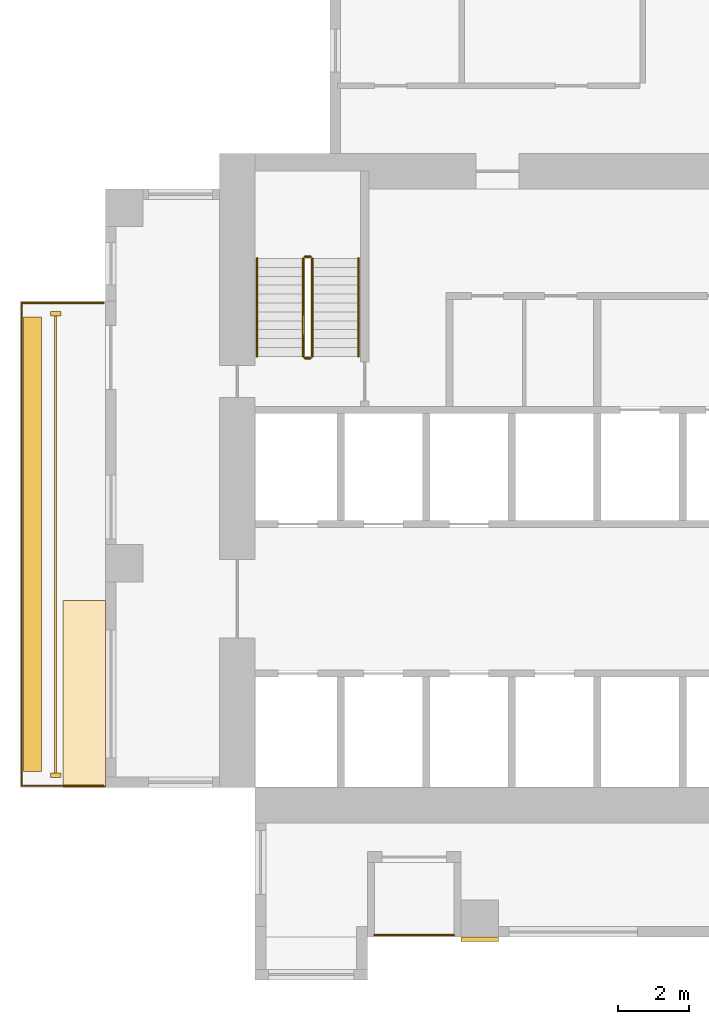
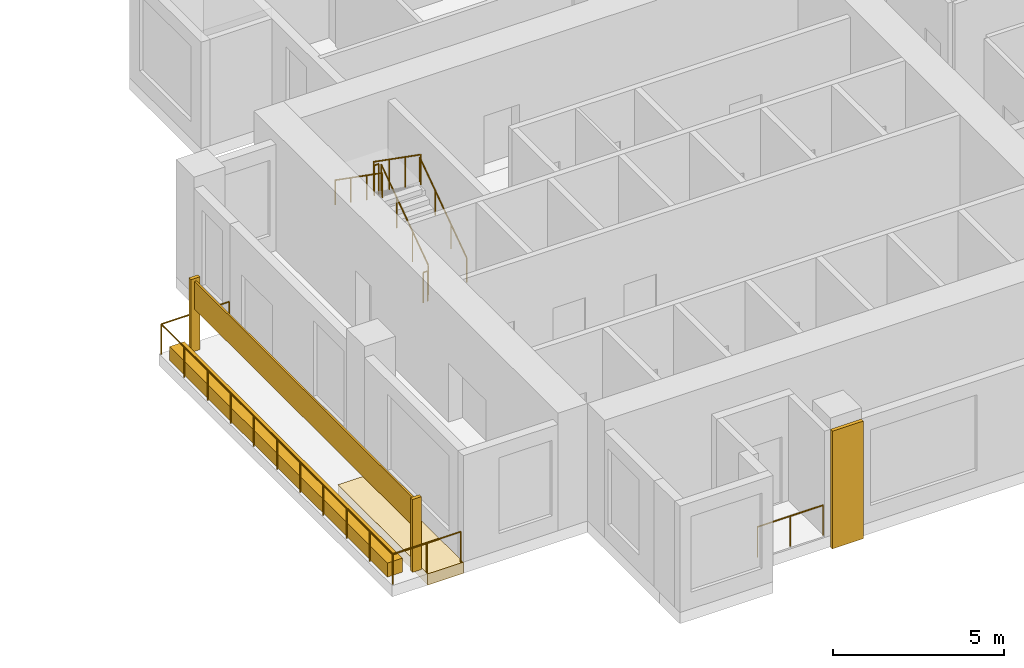
# One storey, part 10 of 14: 8 railings, 6 coverings.
"""IFC4 building model written with IfcOpenShell, lengths in metres."""

import ifcopenshell
import ifcopenshell.guid

model = None  # the IFC model being written
_history = None  # IfcOwnerHistory: only IFC2X3 demands one
_inside = {}  # id of a spatial element -> (the spatial element, [elements in it])
_under = {}  # id of a project, library or spatial element -> (it, [spatial elements below it])
_declared = {}  # id of a project -> (the project, [libraries it declares])
_typed = {}  # id of a type object -> (the type object, [elements of that type])
_made_of = {}  # id of a material, layer set ... -> (it, [elements and type objects made of it])


def new_model(schema):
    """Start an empty IFC model of exactly this schema.

    Asked for "IFC4X3", IfcOpenShell would pick the latest addendum, in which some entities
    have other attributes; the version numbers below select the first issue.
    IFC2X3 requires an IfcOwnerHistory on every rooted entity: one is made here for all.
    """
    global model, _history
    if schema == "IFC4X3":
        model = ifcopenshell.file(schema_version=(4, 3, 0, 0))
    else:
        model = ifcopenshell.file(schema=schema)
    _inside.clear()
    _under.clear()
    _declared.clear()
    _typed.clear()
    _made_of.clear()
    _history = None
    if model.schema == "IFC2X3":
        org = make("IfcOrganization", Name="unknown")
        user = make(
            "IfcPersonAndOrganization",
            ThePerson=make("IfcPerson", FamilyName="unknown"),
            TheOrganization=org,
        )
        app = make(
            "IfcApplication",
            ApplicationDeveloper=org,
            Version="unknown",
            ApplicationFullName="unknown",
            ApplicationIdentifier="unknown",
        )
        _history = make(
            "IfcOwnerHistory",
            OwningUser=user,
            OwningApplication=app,
            ChangeAction="ADDED",
            CreationDate=0,
        )
    return model


def make(cls, **values):
    """One entity of the class cls with the attributes given. An attribute that is None is left unset."""
    return model.create_entity(
        cls, **{name: value for name, value in values.items() if value is not None}
    )


def rooted(cls, **values):
    """An entity with a GlobalId (a new one), such as an element, a storey or a relation."""
    return make(cls, GlobalId=ifcopenshell.guid.new(), OwnerHistory=_history, **values)


def si_unit(unit_type, name, prefix=None):
    """IfcSIUnit, for example si_unit("LENGTHUNIT", "METRE", prefix="MILLI")."""
    return make("IfcSIUnit", UnitType=unit_type, Prefix=prefix, Name=name)


def assignment(units):
    """IfcUnitAssignment: the units of a project."""
    return None if units is None else make("IfcUnitAssignment", Units=units)


def point(xyz):
    """IfcCartesianPoint."""
    return None if xyz is None else make("IfcCartesianPoint", Coordinates=xyz)


def direction(xyz):
    """IfcDirection."""
    return None if xyz is None else make("IfcDirection", DirectionRatios=xyz)


def frame(location, z_axis=None, x_axis=None):
    """IfcAxis2Placement3D, a coordinate frame: its origin and axes. An axis left out is left unset."""
    return make(
        "IfcAxis2Placement3D",
        Location=point(location),
        Axis=direction(z_axis),
        RefDirection=direction(x_axis),
    )


def frame_2d(location, x_axis=None):
    """IfcAxis2Placement2D, a coordinate frame in the plane: its origin and x axis."""
    return make(
        "IfcAxis2Placement2D", Location=point(location), RefDirection=direction(x_axis)
    )


def origin():
    """The frame at (0, 0, 0) with its axes left unset."""
    return frame((0.0, 0.0, 0.0))


def origin_2d():
    """The frame at (0, 0) in the plane with its x axis left unset."""
    return frame_2d((0.0, 0.0))


def place(relative_to, where):
    """IfcLocalPlacement: puts the frame where relative to a parent placement (None: the world)."""
    return make(
        "IfcLocalPlacement", PlacementRelTo=relative_to, RelativePlacement=where
    )


def context(
    kind, dimensions, precision=None, world=None, true_north=None, identifier=None
):
    """IfcGeometricRepresentationContext, for example the 3D "Model" context."""
    return make(
        "IfcGeometricRepresentationContext",
        ContextIdentifier=identifier,
        ContextType=kind,
        CoordinateSpaceDimension=dimensions,
        Precision=precision,
        WorldCoordinateSystem=world,
        TrueNorth=true_north,
    )


def subcontext(parent, identifier, kind, view, scale=None):
    """IfcGeometricRepresentationSubContext, for example "Body" below "Model"."""
    return make(
        "IfcGeometricRepresentationSubContext",
        ContextIdentifier=identifier,
        ContextType=kind,
        ParentContext=parent,
        TargetScale=scale,
        TargetView=view,
    )


def project(units=None, contexts=None):
    """IfcProject with its units and contexts."""
    return rooted(
        "IfcProject",
        Name="project",
        RepresentationContexts=contexts,
        UnitsInContext=assignment(units),
    )


def spatial(cls, under=None, at=None, **own):
    """A site, building, storey or space (cls), placed at a placement, below another one or the project."""
    s = rooted(cls, ObjectPlacement=at, **own)
    if under is not None:
        _under.setdefault(under.id(), (under, []))[1].append(s)
    return s


def polyline(points):
    """IfcPolyline through the points."""
    return make("IfcPolyline", Points=[point(p) for p in points])


def profile(cls, at=None, kind="AREA", **sizes):
    """A parametric profile (cls). Its sizes go by their IFC names, for example OverallWidth=200.0."""
    return make(cls, ProfileType=kind, Position=at, **sizes)


def rectangle(**sizes):
    """IfcRectangleProfileDef."""
    return profile("IfcRectangleProfileDef", **sizes)


def circle(**sizes):
    """IfcCircleProfileDef."""
    return profile("IfcCircleProfileDef", **sizes)


def outline(outer, holes=None, kind="AREA"):
    """IfcArbitraryClosedProfileDef: a profile drawn as a closed curve; with holes, ...WithVoids."""
    if holes is None:
        return make("IfcArbitraryClosedProfileDef", ProfileType=kind, OuterCurve=outer)
    return make(
        "IfcArbitraryProfileDefWithVoids",
        ProfileType=kind,
        OuterCurve=outer,
        InnerCurves=holes,
    )


def extrude(swept, where, along, depth):
    """IfcExtrudedAreaSolid: the profile swept, set in the frame where, extruded along a direction by depth."""
    return make(
        "IfcExtrudedAreaSolid",
        SweptArea=swept,
        Position=where,
        ExtrudedDirection=direction(along),
        Depth=depth,
    )


def shape(context_of_items, identifier, shape_type, items):
    """IfcShapeRepresentation: the items that make up one representation, for example the "Body"."""
    return make(
        "IfcShapeRepresentation",
        ContextOfItems=context_of_items,
        RepresentationIdentifier=identifier,
        RepresentationType=shape_type,
        Items=items,
    )


def source(mapping_origin, context_of_items, identifier, shape_type, items):
    """IfcRepresentationMap: a shape defined once, which mapped items show again and again."""
    return make(
        "IfcRepresentationMap",
        MappingOrigin=mapping_origin,
        MappedRepresentation=shape(context_of_items, identifier, shape_type, items),
    )


def transform(
    local_origin,
    x_axis=None,
    y_axis=None,
    z_axis=None,
    scale=None,
    scale2=None,
    scale3=None,
    uniform=True,
):
    """IfcCartesianTransformationOperator3D, or its non-uniform kind. x_axis, y_axis, z_axis: its Axis1, 2, 3."""
    if uniform:
        return make(
            "IfcCartesianTransformationOperator3D",
            Axis1=direction(x_axis),
            Axis2=direction(y_axis),
            LocalOrigin=point(local_origin),
            Scale=scale,
            Axis3=direction(z_axis),
        )
    return make(
        "IfcCartesianTransformationOperator3DnonUniform",
        Axis1=direction(x_axis),
        Axis2=direction(y_axis),
        LocalOrigin=point(local_origin),
        Scale=scale,
        Axis3=direction(z_axis),
        Scale2=scale2,
        Scale3=scale3,
    )


def mapped(mapping_source, mapping_target):
    """IfcMappedItem: shows the shape of a source again, moved by a transform."""
    return make(
        "IfcMappedItem", MappingSource=mapping_source, MappingTarget=mapping_target
    )


def material(Name=None, Category=None):
    """IfcMaterial."""
    return make("IfcMaterial", Name=Name, Category=Category)


def made_of(thing, what):
    """Note that an element or type object is made of a material, layer set ...; save() writes the relation."""
    if what is not None:
        _made_of.setdefault(what.id(), (what, []))[1].append(thing)
    return thing


def type_object(cls, material=None, **own):
    """A type object (cls), such as IfcWallType, which elements share."""
    return made_of(rooted(cls, **own), material)


def element(
    cls,
    number,
    at=None,
    inside=None,
    cuts=None,
    type_object=None,
    material=None,
    context=None,
    identifier="Body",
    shape_type=None,
    held_by="IfcProductDefinitionShape",
    body=None,
    shapes=None,
    **own,
):
    """One element of the class cls, such as IfcWall. Its Tag is "e" and its number.

    at: its placement. inside: the storey or other place that contains it. cuts: it is an
    opening in that element (IfcRelVoidsElement). A single representation is given by context,
    identifier, shape_type and body (its items); several are given by shapes. held_by: the class
    of the entity that holds the representations. save() writes the other relations.
    """
    e = rooted(cls, Tag="e%d" % number, ObjectPlacement=at, **own)
    if body is not None:
        shapes = [shape(context, identifier, shape_type, body)]
    if shapes is not None:
        e.Representation = make(held_by, Representations=shapes)
    if inside is not None:
        _inside.setdefault(inside.id(), (inside, []))[1].append(e)
    if cuts is not None:
        rooted(
            "IfcRelVoidsElement", RelatingBuildingElement=cuts, RelatedOpeningElement=e
        )
    if type_object is not None:
        _typed.setdefault(type_object.id(), (type_object, []))[1].append(e)
    return made_of(e, material)


def aggregate(whole, parts):
    """IfcRelAggregates: a whole, such as a stair, and the parts it consists of."""
    return rooted("IfcRelAggregates", RelatingObject=whole, RelatedObjects=parts)


def save(model, path):
    """Write the relations noted so far, then the file.

    IfcRelAggregates (storeys below a building ...), IfcRelContainedInSpatialStructure (elements
    in a storey), IfcRelDefinesByType, IfcRelAssociatesMaterial and IfcRelDeclares: one each for
    every whole, place, type object, material and project.
    """
    for whole, parts in _under.values():
        aggregate(whole, parts)
    for where, things in _inside.values():
        rooted(
            "IfcRelContainedInSpatialStructure",
            RelatedElements=things,
            RelatingStructure=where,
        )
    for kind, things in _typed.values():
        rooted("IfcRelDefinesByType", RelatedObjects=things, RelatingType=kind)
    for what, things in _made_of.values():
        rooted("IfcRelAssociatesMaterial", RelatedObjects=things, RelatingMaterial=what)
    for by, libraries in _declared.values():
        rooted("IfcRelDeclares", RelatingContext=by, RelatedDefinitions=libraries)
    model.write(path)


model = new_model("IFC4")

# Units and contexts
model_context = context("Model", 3, precision=1e-05, world=origin(), true_north=direction((0.0, 1.0)))
body_context = subcontext(model_context, "Body", "Model", "MODEL_VIEW")
ifc_project = project(units=[si_unit("LENGTHUNIT", "METRE"), si_unit("AREAUNIT", "SQUARE_METRE"), si_unit("VOLUMEUNIT", "CUBIC_METRE"), si_unit("PLANEANGLEUNIT", "RADIAN"), si_unit("MASSUNIT", "GRAM", prefix="KILO")], contexts=[model_context])

# Site, building, storey
site_placement = place(None, origin())
site = spatial("IfcSite", under=ifc_project, at=site_placement, CompositionType="ELEMENT")
building_placement = place(site_placement, origin())
building = spatial("IfcBuilding", under=site, at=building_placement, Name="Aurelian Terraces", CompositionType="ELEMENT")
storey_placement = place(building_placement, frame((0.0, 0.0, 153.9)))
storey = spatial("IfcBuildingStorey", under=building, at=storey_placement, Name="L34", CompositionType="ELEMENT", Elevation=153.9)

# Coverings
ifc_material_1 = material(Name="Terracotta rainscreen cladding relief", Category="masonry")
covering_type_1 = type_object("IfcCoveringType", Name="FIN-TC", PredefinedType="CLADDING", material=ifc_material_1)
shared_shape_1 = source(origin(), body_context, "Body", "SweptSolid", [
    extrude(rectangle(XDim=0.3, YDim=0.12, at=origin_2d()), origin(), (0.0, 0.0, 1.0), 2.6),
])
for number, where, z_axis, x_axis, name in (
    (1, (-1.4, 17.5, 0.0), (0.0, 0.0, 1.0), (1.0, 0.0, 0.0), "FIN L34 L34-F24-43.1"),
    (2, (-1.4, 4.55, 0.0), (0.0, 0.0, 1.0), (1.0, 0.0, 0.0), "FIN L34 L34-F24-43.2"),
):
    element("IfcCovering", number, at=place(storey_placement, frame(where, z_axis=z_axis, x_axis=x_axis)), inside=storey, type_object=covering_type_1, Name=name, PredefinedType="CLADDING", context=body_context, shape_type="MappedRepresentation", body=[
        mapped(shared_shape_1, transform((0.0, 0.0, 0.0), scale=1.0)),
    ])

# Railing
ifc_material_2 = material(Name="Anodised aluminium", Category="aluminium")
railing_type_1 = type_object("IfcRailingType", Name="GUARD-1100", PredefinedType="GUARDRAIL", material=ifc_material_2)
shared_shape_2 = source(origin(), body_context, "Body", "SweptSolid", [
    extrude(circle(Radius=0.024, at=origin_2d()), frame((0.0, 0.0, 1.076), z_axis=(-1.0, 0.0, 0.0), x_axis=(0.0, -1.0, 0.0)), (0.0, 0.0, 1.0), 2.3),
    extrude(circle(Radius=0.024, at=origin_2d()), frame((-2.3, 0.0, 1.076), z_axis=(0.0, -1.0, 0.0), x_axis=(1.0, 0.0, 0.0)), (0.0, 0.0, 1.0), 13.55),
    extrude(circle(Radius=0.024, at=origin_2d()), frame((-2.3, -13.55, 1.076), z_axis=(1.0, 0.0, 0.0), x_axis=(0.0, 1.0, 0.0)), (0.0, 0.0, 1.0), 2.3),
    extrude(circle(Radius=0.021, at=origin_2d()), origin(), (0.0, 0.0, 1.0), 1.052),
    extrude(circle(Radius=0.021, at=origin_2d()), frame((-1.15, 0.0, 0.0)), (0.0, 0.0, 1.0), 1.052),
    extrude(circle(Radius=0.021, at=origin_2d()), frame((-2.3, 0.0, 0.0)), (0.0, 0.0, 1.0), 1.052),
    extrude(circle(Radius=0.021, at=origin_2d()), frame((-2.3, -1.355, 0.0)), (0.0, 0.0, 1.0), 1.052),
    extrude(circle(Radius=0.021, at=origin_2d()), frame((-2.3, -2.71, 0.0)), (0.0, 0.0, 1.0), 1.052),
    extrude(circle(Radius=0.021, at=origin_2d()), frame((-2.3, -4.065, 0.0)), (0.0, 0.0, 1.0), 1.052),
    extrude(circle(Radius=0.021, at=origin_2d()), frame((-2.3, -5.42, 0.0)), (0.0, 0.0, 1.0), 1.052),
    extrude(circle(Radius=0.021, at=origin_2d()), frame((-2.3, -6.775, 0.0)), (0.0, 0.0, 1.0), 1.052),
    extrude(circle(Radius=0.021, at=origin_2d()), frame((-2.3, -8.13, 0.0)), (0.0, 0.0, 1.0), 1.052),
    extrude(circle(Radius=0.021, at=origin_2d()), frame((-2.3, -9.485, 0.0)), (0.0, 0.0, 1.0), 1.052),
    extrude(circle(Radius=0.021, at=origin_2d()), frame((-2.3, -10.84, 0.0)), (0.0, 0.0, 1.0), 1.052),
    extrude(circle(Radius=0.021, at=origin_2d()), frame((-2.3, -12.195, 0.0)), (0.0, 0.0, 1.0), 1.052),
    extrude(circle(Radius=0.021, at=origin_2d()), frame((-2.3, -13.55, 0.0)), (0.0, 0.0, 1.0), 1.052),
    extrude(circle(Radius=0.021, at=origin_2d()), frame((-1.15, -13.55, 0.0)), (0.0, 0.0, 1.0), 1.052),
    extrude(circle(Radius=0.021, at=origin_2d()), frame((0.0, -13.55, 0.0)), (0.0, 0.0, 1.0), 1.052),
])
railing_1_placement = place(storey_placement, frame((-0.05, 17.8, 0.0)))
element("IfcRailing", 3, at=railing_1_placement, inside=storey, type_object=railing_type_1, Name="Balcony guard L34 F24.43", PredefinedType="GUARDRAIL", context=body_context, shape_type="MappedRepresentation", body=[
    mapped(shared_shape_2, transform((0.0, 0.0, 0.0), scale=1.0)),
])

# Coverings
ifc_material_3 = material(Name="Terracotta planter with planting soil", Category="masonry")
covering_type_2 = type_object("IfcCoveringType", Name="PLANTER-TROUGH", PredefinedType="USERDEFINED", material=ifc_material_3)
shared_shape_3 = source(origin(), body_context, "Body", "SweptSolid", [
    extrude(rectangle(XDim=0.5, YDim=12.75, at=origin_2d()), origin(), (0.0, 0.0, 1.0), 0.5),
])
covering_1_placement = place(storey_placement, frame((-2.05, 11.025, 0.0), z_axis=(0.0, 0.0, 1.0), x_axis=(1.0, 0.0, 0.0)))
element("IfcCovering", 4, at=covering_1_placement, inside=storey, type_object=covering_type_2, Name="PLANTER L34 L34-F24-43", ObjectType="PLANTER", PredefinedType="USERDEFINED", context=body_context, shape_type="MappedRepresentation", body=[
    mapped(shared_shape_3, transform((0.0, 0.0, 0.0), scale=1.0)),
])
ifc_material_4 = material(Name="Terracotta rainscreen cladding", Category="masonry")
covering_type_3 = type_object("IfcCoveringType", Name="SCREEN-TC", PredefinedType="CLADDING", material=ifc_material_4)
shared_shape_4 = source(origin(), body_context, "Body", "SweptSolid", [
    extrude(rectangle(XDim=0.06, YDim=12.83, at=origin_2d()), origin(), (0.0, 0.0, 1.0), 1.0),
])
covering_2_placement = place(storey_placement, frame((-1.4, 11.025, 1.5), z_axis=(0.0, 0.0, 1.0), x_axis=(1.0, 0.0, 0.0)))
element("IfcCovering", 5, at=covering_2_placement, inside=storey, type_object=covering_type_3, Name="SCREEN L34 L34-F24-43", PredefinedType="CLADDING", context=body_context, shape_type="MappedRepresentation", body=[
    mapped(shared_shape_4, transform((0.0, 0.0, 0.0), scale=1.0)),
])
covering_type_4 = type_object("IfcCoveringType", Name="BAGUETTE-TC", PredefinedType="CLADDING", material=ifc_material_1)
shared_shape_5 = source(origin(), body_context, "Body", "SweptSolid", [
    extrude(rectangle(XDim=1.05, YDim=0.12, at=origin_2d()), origin(), (0.0, 0.0, 1.0), 4.2),
])
covering_3_placement = place(storey_placement, frame((10.5, -0.06, -0.4), z_axis=(0.0, 0.0, 1.0), x_axis=(1.0, 0.0, 0.0)))
element("IfcCovering", 6, at=covering_3_placement, inside=storey, type_object=covering_type_4, Name="BAGUETTE pier L34 1", PredefinedType="CLADDING", context=body_context, shape_type="MappedRepresentation", body=[
    mapped(shared_shape_5, transform((0.0, 0.0, 0.0), scale=1.0)),
])
ifc_material_5 = material(Name="Terracotta roof tiles on membrane", Category="masonry")
covering_type_5 = type_object("IfcCoveringType", Name="Bay roof cover", PredefinedType="ROOFING", material=ifc_material_5)
shared_shape_6 = source(origin(), body_context, "Body", "SweptSolid", [
    extrude(outline(polyline([(0.0, 4.2), (-1.2, 4.2), (-1.2, 9.45), (0.0, 9.45), (0.0, 4.2)])), origin(), (0.0, 0.0, 1.0), 0.4),
])
covering_4_placement = place(storey_placement, frame((0.0, 0.0, -0.4)))
element("IfcCovering", 7, at=covering_4_placement, inside=storey, type_object=covering_type_5, Name="Bay roof L34 -1.20_4.20_0.00_9.45", PredefinedType="ROOFING", context=body_context, shape_type="MappedRepresentation", body=[
    mapped(shared_shape_6, transform((0.0, 0.0, 0.0), scale=1.0)),
])

# Railings
shared_shape_7 = source(origin(), body_context, "Body", "SweptSolid", [
    extrude(circle(Radius=0.024, at=origin_2d()), frame((0.0, 0.0, 1.076), z_axis=(1.0, 0.0, 0.0), x_axis=(0.0, 1.0, 0.0)), (0.0, 0.0, 1.0), 2.225),
    extrude(circle(Radius=0.021, at=origin_2d()), origin(), (0.0, 0.0, 1.0), 1.052),
    extrude(circle(Radius=0.021, at=origin_2d()), frame((1.1125, 0.0, 0.0)), (0.0, 0.0, 1.0), 1.052),
    extrude(circle(Radius=0.021, at=origin_2d()), frame((2.225, 0.0, 0.0)), (0.0, 0.0, 1.0), 1.052),
])
railing_2_placement = place(storey_placement, frame((7.55, 0.06, 0.05)))
element("IfcRailing", 8, at=railing_2_placement, inside=storey, type_object=railing_type_1, Name="Loggia guard L34 F01.2", PredefinedType="GUARDRAIL", context=body_context, shape_type="MappedRepresentation", body=[
    mapped(shared_shape_7, transform((0.0, 0.0, 0.0), scale=1.0)),
])
ifc_material_6 = material(Name="Stainless steel", Category="steel")
railing_type_2 = type_object("IfcRailingType", Name="Stair guard 1100", PredefinedType="GUARDRAIL", material=ifc_material_6)
shared_shape_8 = source(origin(), body_context, "Body", "SweptSolid", [
    extrude(circle(Radius=0.024, at=origin_2d()), frame((0.0, 0.0, 1.076), z_axis=(-1.0, 0.0, 0.0), x_axis=(0.0, -1.0, 0.0)), (0.0, 0.0, 1.0), 0.15),
    extrude(circle(Radius=0.021, at=origin_2d()), origin(), (0.0, 0.0, 1.0), 1.052),
    extrude(circle(Radius=0.021, at=origin_2d()), frame((-0.15, 0.0, 0.0)), (0.0, 0.0, 1.0), 1.052),
])
for number, where, name in (
    (9, (5.75, 19.1, 2.1), "L34 S1 stair guard 2"),
    (10, (5.75, 16.25, 0.0), "L34 S1 stair guard 4"),
):
    element("IfcRailing", number, at=place(storey_placement, frame(where)), inside=storey, type_object=railing_type_2, Name=name, PredefinedType="GUARDRAIL", context=body_context, shape_type="MappedRepresentation", body=[
        mapped(shared_shape_8, transform((0.0, 0.0, 0.0), scale=1.0)),
    ])
shared_shape_9 = source(origin(), body_context, "Body", "SweptSolid", [
    extrude(circle(Radius=0.024, at=origin_2d()), frame((0.0, 0.0, 1.076), z_axis=(0.0, 0.819231920519, 0.573462344363), x_axis=(-1.0, 0.0, 0.0)), (0.0, 0.0, 1.0), 3.3568),
    extrude(circle(Radius=0.021, at=origin_2d()), origin(), (0.0, 0.0, 1.0), 1.052),
    extrude(circle(Radius=0.021, at=origin_2d()), frame((0.0, 0.9167, 0.6417)), (0.0, 0.0, 1.0), 1.052),
    extrude(circle(Radius=0.021, at=origin_2d()), frame((0.0, 1.8333, 1.2833)), (0.0, 0.0, 1.0), 1.052),
    extrude(circle(Radius=0.021, at=origin_2d()), frame((0.0, 2.75, 1.925)), (0.0, 0.0, 1.0), 1.052),
])
railing_3_placement = place(storey_placement, frame((5.8, 16.3, 0.175)))
element("IfcRailing", 11, at=railing_3_placement, inside=storey, type_object=railing_type_2, Name="L34 S1 stair guard 1", PredefinedType="GUARDRAIL", context=body_context, shape_type="MappedRepresentation", body=[
    mapped(shared_shape_9, transform((0.0, 0.0, 0.0), scale=1.0)),
])
shared_shape_10 = source(origin(), body_context, "Body", "SweptSolid", [
    extrude(circle(Radius=0.024, at=origin_2d()), frame((0.0, 0.0, 1.076), z_axis=(0.0, -0.819231920519, 0.573462344363), x_axis=(1.0, 0.0, 0.0)), (0.0, 0.0, 1.0), 3.3568),
    extrude(circle(Radius=0.021, at=origin_2d()), origin(), (0.0, 0.0, 1.0), 1.052),
    extrude(circle(Radius=0.021, at=origin_2d()), frame((0.0, -0.9167, 0.6417)), (0.0, 0.0, 1.0), 1.052),
    extrude(circle(Radius=0.021, at=origin_2d()), frame((0.0, -1.8333, 1.2833)), (0.0, 0.0, 1.0), 1.052),
    extrude(circle(Radius=0.021, at=origin_2d()), frame((0.0, -2.75, 1.925)), (0.0, 0.0, 1.0), 1.052),
])
railing_4_placement = place(storey_placement, frame((5.55, 19.05, 2.275)))
element("IfcRailing", 12, at=railing_4_placement, inside=storey, type_object=railing_type_2, Name="L34 S1 stair guard 3", PredefinedType="GUARDRAIL", context=body_context, shape_type="MappedRepresentation", body=[
    mapped(shared_shape_10, transform((0.0, 0.0, 0.0), scale=1.0)),
])
railing_type_3 = type_object("IfcRailingType", Name="Stair handrail", PredefinedType="HANDRAIL", material=ifc_material_6)
shared_shape_11 = source(origin(), body_context, "Body", "SweptSolid", [
    extrude(circle(Radius=0.024, at=origin_2d()), frame((0.0, 0.0, 0.876), z_axis=(0.0, 0.819231920519, 0.573462344363), x_axis=(-1.0, 0.0, 0.0)), (0.0, 0.0, 1.0), 3.3568),
    extrude(circle(Radius=0.021, at=origin_2d()), origin(), (0.0, 0.0, 1.0), 0.852),
    extrude(circle(Radius=0.021, at=origin_2d()), frame((0.0, 0.9167, 0.6417)), (0.0, 0.0, 1.0), 0.852),
    extrude(circle(Radius=0.021, at=origin_2d()), frame((0.0, 1.8333, 1.2833)), (0.0, 0.0, 1.0), 0.852),
    extrude(circle(Radius=0.021, at=origin_2d()), frame((0.0, 2.75, 1.925)), (0.0, 0.0, 1.0), 0.852),
])
railing_5_placement = place(storey_placement, frame((7.1, 16.3, 0.175)))
element("IfcRailing", 13, at=railing_5_placement, inside=storey, type_object=railing_type_3, Name="L34 S1 stair handrail 1", PredefinedType="HANDRAIL", context=body_context, shape_type="MappedRepresentation", body=[
    mapped(shared_shape_11, transform((0.0, 0.0, 0.0), scale=1.0)),
])
shared_shape_12 = source(origin(), body_context, "Body", "SweptSolid", [
    extrude(circle(Radius=0.024, at=origin_2d()), frame((0.0, 0.0, 0.876), z_axis=(0.0, -0.819231920519, 0.573462344363), x_axis=(1.0, 0.0, 0.0)), (0.0, 0.0, 1.0), 3.3568),
    extrude(circle(Radius=0.021, at=origin_2d()), origin(), (0.0, 0.0, 1.0), 0.852),
    extrude(circle(Radius=0.021, at=origin_2d()), frame((0.0, -0.9167, 0.6417)), (0.0, 0.0, 1.0), 0.852),
    extrude(circle(Radius=0.021, at=origin_2d()), frame((0.0, -1.8333, 1.2833)), (0.0, 0.0, 1.0), 0.852),
    extrude(circle(Radius=0.021, at=origin_2d()), frame((0.0, -2.75, 1.925)), (0.0, 0.0, 1.0), 0.852),
])
railing_6_placement = place(storey_placement, frame((4.25, 19.05, 2.275)))
element("IfcRailing", 14, at=railing_6_placement, inside=storey, type_object=railing_type_3, Name="L34 S1 stair handrail 2", PredefinedType="HANDRAIL", context=body_context, shape_type="MappedRepresentation", body=[
    mapped(shared_shape_12, transform((0.0, 0.0, 0.0), scale=1.0)),
])

save(model, "model.ifc")
